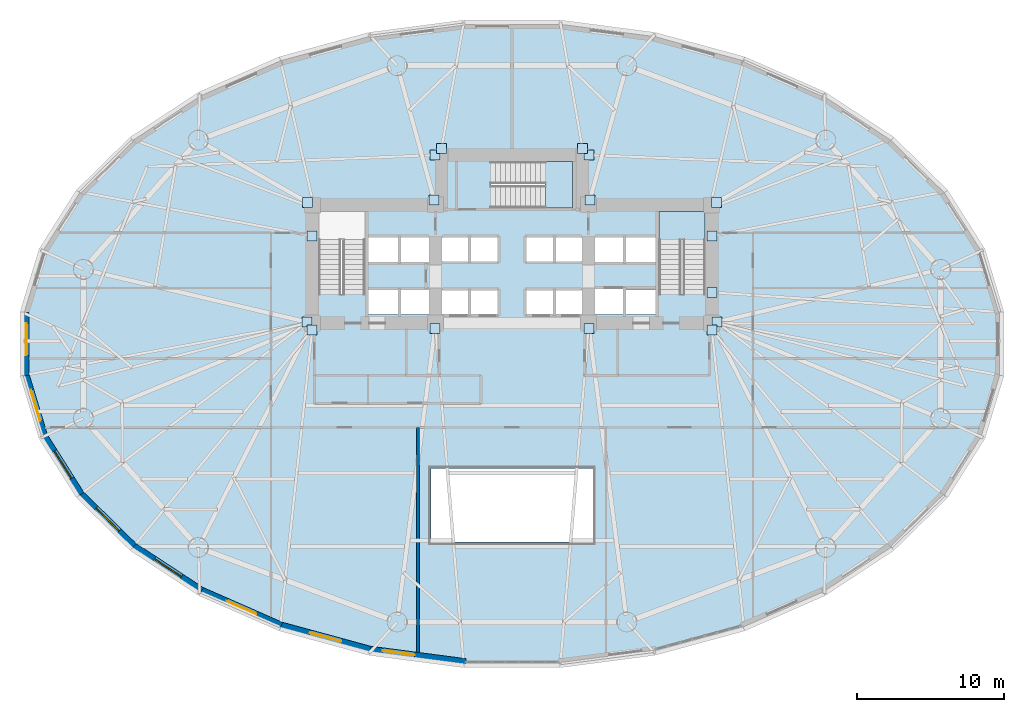
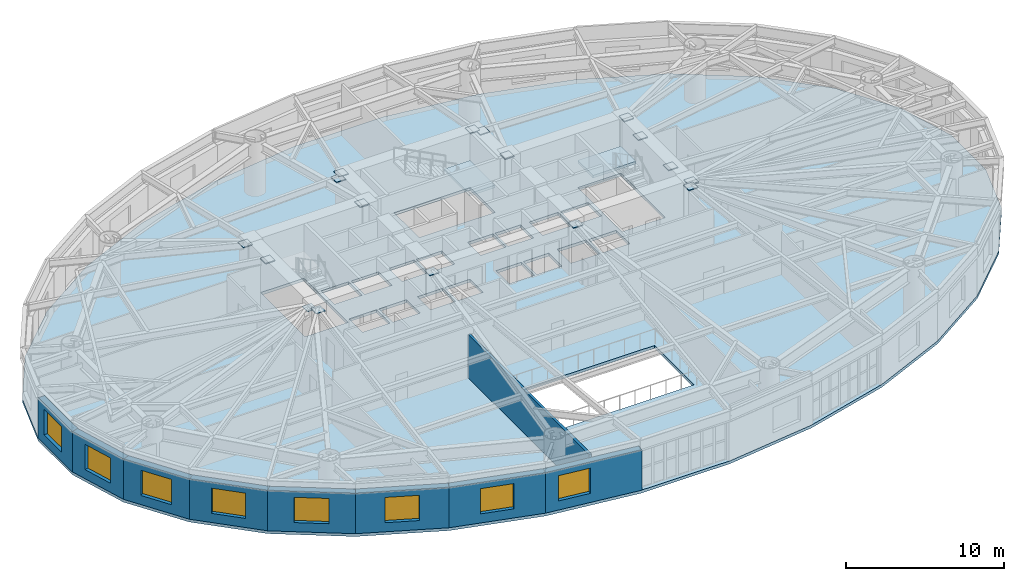
# One storey, part 8 of 19: 17 plates, 9 walls, 8 windows, 3 slabs, 8 openings, 2 elements without a shape of their own.
"""IFC4 building model written with IfcOpenShell, lengths in metres."""

import ifcopenshell
import ifcopenshell.guid

model = None  # the IFC model being written
_history = None  # IfcOwnerHistory: only IFC2X3 demands one
_inside = {}  # id of a spatial element -> (the spatial element, [elements in it])
_under = {}  # id of a project, library or spatial element -> (it, [spatial elements below it])
_declared = {}  # id of a project -> (the project, [libraries it declares])
_typed = {}  # id of a type object -> (the type object, [elements of that type])
_made_of = {}  # id of a material, layer set ... -> (it, [elements and type objects made of it])


def new_model(schema):
    """Start an empty IFC model of exactly this schema.

    Asked for "IFC4X3", IfcOpenShell would pick the latest addendum, in which some entities
    have other attributes; the version numbers below select the first issue.
    IFC2X3 requires an IfcOwnerHistory on every rooted entity: one is made here for all.
    """
    global model, _history
    if schema == "IFC4X3":
        model = ifcopenshell.file(schema_version=(4, 3, 0, 0))
    else:
        model = ifcopenshell.file(schema=schema)
    _inside.clear()
    _under.clear()
    _declared.clear()
    _typed.clear()
    _made_of.clear()
    _history = None
    if model.schema == "IFC2X3":
        org = make("IfcOrganization", Name="unknown")
        user = make(
            "IfcPersonAndOrganization",
            ThePerson=make("IfcPerson", FamilyName="unknown"),
            TheOrganization=org,
        )
        app = make(
            "IfcApplication",
            ApplicationDeveloper=org,
            Version="unknown",
            ApplicationFullName="unknown",
            ApplicationIdentifier="unknown",
        )
        _history = make(
            "IfcOwnerHistory",
            OwningUser=user,
            OwningApplication=app,
            ChangeAction="ADDED",
            CreationDate=0,
        )
    return model


def make(cls, **values):
    """One entity of the class cls with the attributes given. An attribute that is None is left unset."""
    return model.create_entity(
        cls, **{name: value for name, value in values.items() if value is not None}
    )


def rooted(cls, **values):
    """An entity with a GlobalId (a new one), such as an element, a storey or a relation."""
    return make(cls, GlobalId=ifcopenshell.guid.new(), OwnerHistory=_history, **values)


def si_unit(unit_type, name, prefix=None):
    """IfcSIUnit, for example si_unit("LENGTHUNIT", "METRE", prefix="MILLI")."""
    return make("IfcSIUnit", UnitType=unit_type, Prefix=prefix, Name=name)


def assignment(units):
    """IfcUnitAssignment: the units of a project."""
    return None if units is None else make("IfcUnitAssignment", Units=units)


def point(xyz):
    """IfcCartesianPoint."""
    return None if xyz is None else make("IfcCartesianPoint", Coordinates=xyz)


def direction(xyz):
    """IfcDirection."""
    return None if xyz is None else make("IfcDirection", DirectionRatios=xyz)


def frame(location, z_axis=None, x_axis=None):
    """IfcAxis2Placement3D, a coordinate frame: its origin and axes. An axis left out is left unset."""
    return make(
        "IfcAxis2Placement3D",
        Location=point(location),
        Axis=direction(z_axis),
        RefDirection=direction(x_axis),
    )


def frame_2d(location, x_axis=None):
    """IfcAxis2Placement2D, a coordinate frame in the plane: its origin and x axis."""
    return make(
        "IfcAxis2Placement2D", Location=point(location), RefDirection=direction(x_axis)
    )


def origin():
    """The frame at (0, 0, 0) with its axes left unset."""
    return frame((0.0, 0.0, 0.0))


def origin_2d():
    """The frame at (0, 0) in the plane with its x axis left unset."""
    return frame_2d((0.0, 0.0))


def place(relative_to, where):
    """IfcLocalPlacement: puts the frame where relative to a parent placement (None: the world)."""
    return make(
        "IfcLocalPlacement", PlacementRelTo=relative_to, RelativePlacement=where
    )


def context(
    kind, dimensions, precision=None, world=None, true_north=None, identifier=None
):
    """IfcGeometricRepresentationContext, for example the 3D "Model" context."""
    return make(
        "IfcGeometricRepresentationContext",
        ContextIdentifier=identifier,
        ContextType=kind,
        CoordinateSpaceDimension=dimensions,
        Precision=precision,
        WorldCoordinateSystem=world,
        TrueNorth=true_north,
    )


def subcontext(parent, identifier, kind, view, scale=None):
    """IfcGeometricRepresentationSubContext, for example "Body" below "Model"."""
    return make(
        "IfcGeometricRepresentationSubContext",
        ContextIdentifier=identifier,
        ContextType=kind,
        ParentContext=parent,
        TargetScale=scale,
        TargetView=view,
    )


def project(units=None, contexts=None):
    """IfcProject with its units and contexts."""
    return rooted(
        "IfcProject",
        Name="project",
        RepresentationContexts=contexts,
        UnitsInContext=assignment(units),
    )


def spatial(cls, under=None, at=None, **own):
    """A site, building, storey or space (cls), placed at a placement, below another one or the project."""
    s = rooted(cls, ObjectPlacement=at, **own)
    if under is not None:
        _under.setdefault(under.id(), (under, []))[1].append(s)
    return s


def polyline(points):
    """IfcPolyline through the points."""
    return make("IfcPolyline", Points=[point(p) for p in points])


def profile(cls, at=None, kind="AREA", **sizes):
    """A parametric profile (cls). Its sizes go by their IFC names, for example OverallWidth=200.0."""
    return make(cls, ProfileType=kind, Position=at, **sizes)


def rectangle(**sizes):
    """IfcRectangleProfileDef."""
    return profile("IfcRectangleProfileDef", **sizes)


def outline(outer, holes=None, kind="AREA"):
    """IfcArbitraryClosedProfileDef: a profile drawn as a closed curve; with holes, ...WithVoids."""
    if holes is None:
        return make("IfcArbitraryClosedProfileDef", ProfileType=kind, OuterCurve=outer)
    return make(
        "IfcArbitraryProfileDefWithVoids",
        ProfileType=kind,
        OuterCurve=outer,
        InnerCurves=holes,
    )


def extrude(swept, where, along, depth):
    """IfcExtrudedAreaSolid: the profile swept, set in the frame where, extruded along a direction by depth."""
    return make(
        "IfcExtrudedAreaSolid",
        SweptArea=swept,
        Position=where,
        ExtrudedDirection=direction(along),
        Depth=depth,
    )


def shape(context_of_items, identifier, shape_type, items):
    """IfcShapeRepresentation: the items that make up one representation, for example the "Body"."""
    return make(
        "IfcShapeRepresentation",
        ContextOfItems=context_of_items,
        RepresentationIdentifier=identifier,
        RepresentationType=shape_type,
        Items=items,
    )


def material(Name=None, Category=None):
    """IfcMaterial."""
    return make("IfcMaterial", Name=Name, Category=Category)


def layer(
    of_material, thickness, ventilated=None, Name=None, Category=None, Priority=None
):
    """IfcMaterialLayer: one layer of a wall or slab, of a material (None: an air gap)."""
    return make(
        "IfcMaterialLayer",
        Material=of_material,
        LayerThickness=thickness,
        IsVentilated=ventilated,
        Name=Name,
        Category=Category,
        Priority=Priority,
    )


def layer_set(layers, Name=None):
    """IfcMaterialLayerSet."""
    return make("IfcMaterialLayerSet", MaterialLayers=layers, LayerSetName=Name)


def made_of(thing, what):
    """Note that an element or type object is made of a material, layer set ...; save() writes the relation."""
    if what is not None:
        _made_of.setdefault(what.id(), (what, []))[1].append(thing)
    return thing


def type_object(cls, material=None, **own):
    """A type object (cls), such as IfcWallType, which elements share."""
    return made_of(rooted(cls, **own), material)


def element(
    cls,
    number,
    at=None,
    inside=None,
    cuts=None,
    type_object=None,
    material=None,
    context=None,
    identifier="Body",
    shape_type=None,
    held_by="IfcProductDefinitionShape",
    body=None,
    shapes=None,
    **own,
):
    """One element of the class cls, such as IfcWall. Its Tag is "e" and its number.

    at: its placement. inside: the storey or other place that contains it. cuts: it is an
    opening in that element (IfcRelVoidsElement). A single representation is given by context,
    identifier, shape_type and body (its items); several are given by shapes. held_by: the class
    of the entity that holds the representations. save() writes the other relations.
    """
    e = rooted(cls, Tag="e%d" % number, ObjectPlacement=at, **own)
    if body is not None:
        shapes = [shape(context, identifier, shape_type, body)]
    if shapes is not None:
        e.Representation = make(held_by, Representations=shapes)
    if inside is not None:
        _inside.setdefault(inside.id(), (inside, []))[1].append(e)
    if cuts is not None:
        rooted(
            "IfcRelVoidsElement", RelatingBuildingElement=cuts, RelatedOpeningElement=e
        )
    if type_object is not None:
        _typed.setdefault(type_object.id(), (type_object, []))[1].append(e)
    return made_of(e, material)


def fill(opening, filler):
    """IfcRelFillsElement: the door or window that sits in an opening."""
    return rooted(
        "IfcRelFillsElement",
        RelatingOpeningElement=opening,
        RelatedBuildingElement=filler,
    )


def aggregate(whole, parts):
    """IfcRelAggregates: a whole, such as a stair, and the parts it consists of."""
    return rooted("IfcRelAggregates", RelatingObject=whole, RelatedObjects=parts)


def save(model, path):
    """Write the relations noted so far, then the file.

    IfcRelAggregates (storeys below a building ...), IfcRelContainedInSpatialStructure (elements
    in a storey), IfcRelDefinesByType, IfcRelAssociatesMaterial and IfcRelDeclares: one each for
    every whole, place, type object, material and project.
    """
    for whole, parts in _under.values():
        aggregate(whole, parts)
    for where, things in _inside.values():
        rooted(
            "IfcRelContainedInSpatialStructure",
            RelatedElements=things,
            RelatingStructure=where,
        )
    for kind, things in _typed.values():
        rooted("IfcRelDefinesByType", RelatedObjects=things, RelatingType=kind)
    for what, things in _made_of.values():
        rooted("IfcRelAssociatesMaterial", RelatedObjects=things, RelatingMaterial=what)
    for by, libraries in _declared.values():
        rooted("IfcRelDeclares", RelatingContext=by, RelatedDefinitions=libraries)
    model.write(path)


model = new_model("IFC4")

# Units and contexts
model_context = context("Model", 3, precision=1e-05, world=origin(), true_north=direction((0.0, 1.0)))
body_context = subcontext(model_context, "Body", "Model", "MODEL_VIEW")
ifc_project = project(units=[si_unit("LENGTHUNIT", "METRE"), si_unit("AREAUNIT", "SQUARE_METRE"), si_unit("VOLUMEUNIT", "CUBIC_METRE"), si_unit("PLANEANGLEUNIT", "RADIAN"), si_unit("MASSUNIT", "GRAM", prefix="KILO")], contexts=[model_context])

# Site, building, storey
site_placement = place(None, origin())
site = spatial("IfcSite", under=ifc_project, at=site_placement, CompositionType="ELEMENT")
building_placement = place(site_placement, origin())
building = spatial("IfcBuilding", under=site, at=building_placement, Name="Keldmark Tower", CompositionType="ELEMENT")
storey_placement = place(building_placement, frame((0.0, 0.0, 10.199951171875)))
storey = spatial("IfcBuildingStorey", under=building, at=storey_placement, Name="L02", CompositionType="ELEMENT", Elevation=10.199951171875)

# Plates
ifc_material_1 = material(Name="Steel ASTM A572 Grade 50", Category="steel")
ifc_layer_1 = layer(ifc_material_1, 0.06005859375)
ifc_layer_set_1 = layer_set([ifc_layer_1], Name="Steel ASTM A572 Grade 50")
plate_type = type_object("IfcPlateType", Name="Belt Truss Kink Node Assembly KN01 60 mm", PredefinedType="USERDEFINED", material=ifc_layer_set_1)
for number, where, z_axis, x_axis, name in (
    (1, (13.940673828125, 1.48046875, 3.6416015625), (0.0, 0.0, 1.0), (1.0, 0.0, 0.0), "L02 Core Wall Cast-In Embed Plate 052"),
    (2, (13.904296875, 9.623046875, 3.6416015625), (0.0, 0.0, 1.0), (1.0, 0.0, 0.0), "L02 Core Wall Cast-In Embed Plate 053"),
    (3, (5.293212890625, 9.787353515625, 3.6416015625), (0.0, 0.0, 1.0), (1.0, 0.0, 0.0), "L02 Core Wall Cast-In Embed Plate 054"),
    (4, (-5.293212890625, 9.787353515625, 3.6416015625), (0.0, 0.0, 1.0), (1.0, 0.0, 0.0), "L02 Core Wall Cast-In Embed Plate 055"),
    (5, (-13.904296875, 9.623046875, 3.6416015625), (0.0, 0.0, 1.0), (1.0, 0.0, 0.0), "L02 Core Wall Cast-In Embed Plate 056"),
    (6, (-13.940673828125, 1.48046875, 3.6416015625), (0.0, 0.0, 1.0), (1.0, 0.0, 0.0), "L02 Core Wall Cast-In Embed Plate 057"),
    (7, (-5.24462890625, 1.052978515625, 3.6416015625), (0.0, 0.0, 1.0), (1.0, 0.0, 0.0), "L02 Core Wall Cast-In Embed Plate 058"),
    (8, (5.24462890625, 1.052978515625, 3.6416015625), (0.0, 0.0, 1.0), (1.0, 0.0, 0.0), "L02 Core Wall Cast-In Embed Plate 059"),
    (9, (5.25, 12.85009765625, 3.68408203125), (0.0, 0.0, 1.0), (1.0, 0.0, 0.0), "L02 Core Wall Cast-In Embed Plate 060"),
    (10, (-5.25, 12.85009765625, 3.68408203125), (0.0, 0.0, 1.0), (1.0, 0.0, 0.0), "L02 Core Wall Cast-In Embed Plate 061"),
    (11, (13.60009765625, 3.507080078125, 3.68408203125), (0.0, 0.0, 1.0), (1.0, 0.0, 0.0), "L02 Core Wall Cast-In Embed Plate 062"),
    (12, (13.60009765625, 7.343017578125, 3.68408203125), (0.0, 0.0, 1.0), (1.0, 0.0, 0.0), "L02 Core Wall Cast-In Embed Plate 063"),
    (13, (4.800048828125, 13.300048828125, 3.68408203125), (0.0, 0.0, 1.0), (1.0, 0.0, 0.0), "L02 Core Wall Cast-In Embed Plate 064"),
    (14, (-4.800048828125, 13.300048828125, 3.68408203125), (0.0, 0.0, 1.0), (1.0, 0.0, 0.0), "L02 Core Wall Cast-In Embed Plate 065"),
    (15, (-13.60009765625, 7.343017578125, 3.68408203125), (0.0, 0.0, 1.0), (1.0, 0.0, 0.0), "L02 Core Wall Cast-In Embed Plate 066"),
    (16, (-13.60009765625, 0.949951171875, 3.68408203125), (0.0, 0.0, 1.0), (1.0, 0.0, 0.0), "L02 Core Wall Cast-In Embed Plate 067"),
    (17, (13.60009765625, 0.949951171875, 3.68408203125), (0.0, 0.0, 1.0), (1.0, 0.0, 0.0), "L02 Core Wall Cast-In Embed Plate 068"),
):
    element("IfcPlate", number, at=place(storey_placement, frame(where, z_axis=z_axis, x_axis=x_axis)), inside=storey, type_object=plate_type, Name=name, ObjectType="CAP PLATE", PredefinedType="USERDEFINED", context=body_context, shape_type="SweptSolid", body=[
        extrude(rectangle(XDim=0.679931640625, YDim=0.679931640625, at=origin_2d()), origin(), (0.0, 0.0, 1.0), 0.054931640625),
    ])

# Stair, slab
ifc_material_2 = material(Name="Concrete C40/50", Category="concrete")
stair_type = type_object("IfcStairType", Name="Precast Concrete Core Exit Stair", PredefinedType="HALF_TURN_STAIR", material=ifc_material_2)
stair_1_placement = place(storey_placement, origin())
stair_1 = element("IfcStair", 18, at=stair_1_placement, inside=storey, type_object=stair_type, Name="L02 Exit Stair ST2", PredefinedType="HALF_TURN_STAIR")
ifc_material_3 = material(Name="Concrete C40/50", Category="concrete")
ifc_layer_2 = layer(ifc_material_3, 0.199951171875)
ifc_layer_set_2 = layer_set([ifc_layer_2], Name="Concrete C40/50")
slab_type_1 = type_object("IfcSlabType", Name="Reinforced Concrete Stair Landing 200 mm", PredefinedType="LANDING", material=ifc_layer_set_2)
slab_1_placement = place(storey_placement, frame((0.0, 0.0, 1.900146484375)))
slab_1 = element("IfcSlab", 19, at=slab_1_placement, type_object=slab_type_1, Name="ST2 landing 1", PredefinedType="LANDING", context=body_context, shape_type="SweptSolid", body=[
    extrude(outline(polyline([(13.14990234375, 7.070068359375), (13.14990234375, 9.0), (10.0, 9.0), (10.0, 7.070068359375), (13.14990234375, 7.070068359375)])), origin(), (0.0, 0.0, 1.0), 0.199951171875),
])
aggregate(stair_1, [slab_1])

stair_2_placement = place(storey_placement, origin())
stair_2 = element("IfcStair", 20, at=stair_2_placement, inside=storey, type_object=stair_type, Name="L02 Exit Stair ST3", PredefinedType="HALF_TURN_STAIR")
slab_2_placement = place(storey_placement, frame((0.0, 0.0, 1.900146484375)))
slab_2 = element("IfcSlab", 21, at=slab_2_placement, type_object=slab_type_1, Name="ST3 landing 1", PredefinedType="LANDING", context=body_context, shape_type="SweptSolid", body=[
    extrude(outline(polyline([(2.2451171875, 9.25), (4.10498046875, 9.25), (4.10498046875, 12.39990234375), (2.2451171875, 12.39990234375), (2.2451171875, 9.25)])), origin(), (0.0, 0.0, 1.0), 0.199951171875),
])
aggregate(stair_2, [slab_2])

# Slab
ifc_material_4 = material(Name="Concrete C35/45", Category="concrete")
ifc_layer_3 = layer(ifc_material_4, 0.219970703125)
ifc_layer_set_3 = layer_set([ifc_layer_3], Name="Concrete C35/45")
slab_type_2 = type_object("IfcSlabType", Name="Sky Lobby Floor Slab 220 mm", PredefinedType="FLOOR", material=ifc_layer_set_3)
slab_3_placement = place(storey_placement, frame((0.0, 0.0, -0.219970703125)))
element("IfcSlab", 22, at=slab_3_placement, inside=storey, type_object=slab_type_2, Name="L02 Composite Structural Floor Slab", PredefinedType="FLOOR", context=body_context, shape_type="SweptSolid", body=[
    extrude(outline(polyline([(33.338623046875, 2.156494140625), (32.0576171875, 6.38623046875), (29.54443359375, 10.37060546875), (25.89599609375, 13.956787109375), (21.252197265625, 17.006103515625), (15.791748046875, 19.40234375), (9.724609375, 21.052734375), (3.28369140625, 21.89404296875), (-3.28369140625, 21.89404296875), (-9.724609375, 21.052734375), (-15.791748046875, 19.40234375), (-21.252197265625, 17.006103515625), (-25.89599609375, 13.956787109375), (-29.54443359375, 10.37060546875), (-32.0576171875, 6.38623046875), (-33.338623046875, 2.156494140625), (-33.338623046875, -2.156494140625), (-32.0576171875, -6.38623046875), (-29.54443359375, -10.37060546875), (-25.89599609375, -13.956787109375), (-21.252197265625, -17.006103515625), (-15.791748046875, -19.40234375), (-9.724609375, -21.052734375), (-3.28369140625, -21.89404296875), (3.28369140625, -21.89404296875), (9.724609375, -21.052734375), (15.791748046875, -19.40234375), (21.252197265625, -17.006103515625), (25.89599609375, -13.956787109375), (29.54443359375, -10.37060546875), (32.0576171875, -6.38623046875), (33.338623046875, -2.156494140625), (33.338623046875, 2.156494140625)]), holes=[polyline([(-10.0, 3.385009765625), (-10.0, 9.0), (-13.14990234375, 9.0), (-13.14990234375, 3.385009765625), (-10.0, 3.385009765625)]), polyline([(13.14990234375, 3.385009765625), (13.14990234375, 9.0), (10.0, 9.0), (10.0, 3.385009765625), (13.14990234375, 3.385009765625)]), polyline([(-1.43994140625, 9.25), (4.10498046875, 9.25), (4.10498046875, 12.39990234375), (-1.43994140625, 12.39990234375), (-1.43994140625, 9.25)]), polyline([(-9.75, 2.0), (-7.75, 2.0), (-7.75, 3.699951171875), (-9.75, 3.699951171875), (-9.75, 2.0)]), polyline([(7.75, 2.0), (9.75, 2.0), (9.75, 3.699951171875), (7.75, 3.699951171875), (7.75, 2.0)]), polyline([(5.449951171875, 2.0), (7.550048828125, 2.0), (7.550048828125, 3.75), (5.449951171875, 3.75), (5.449951171875, 2.0)]), polyline([(-4.800048828125, 2.0), (-2.949951171875, 2.0), (-2.949951171875, 3.64990234375), (-4.800048828125, 3.64990234375), (-4.800048828125, 2.0)]), polyline([(-2.800048828125, 2.0), (-0.949951171875, 2.0), (-0.949951171875, 3.64990234375), (-2.800048828125, 3.64990234375), (-2.800048828125, 2.0)]), polyline([(0.949951171875, 2.0), (2.800048828125, 2.0), (2.800048828125, 3.64990234375), (0.949951171875, 3.64990234375), (0.949951171875, 2.0)]), polyline([(2.949951171875, 2.0), (4.800048828125, 2.0), (4.800048828125, 3.64990234375), (2.949951171875, 3.64990234375), (2.949951171875, 2.0)]), polyline([(-4.800048828125, 5.60009765625), (-2.949951171875, 5.60009765625), (-2.949951171875, 7.25), (-4.800048828125, 7.25), (-4.800048828125, 5.60009765625)]), polyline([(-2.800048828125, 5.60009765625), (-0.949951171875, 5.60009765625), (-0.949951171875, 7.25), (-2.800048828125, 7.25), (-2.800048828125, 5.60009765625)]), polyline([(0.949951171875, 5.60009765625), (2.800048828125, 5.60009765625), (2.800048828125, 7.25), (0.949951171875, 7.25), (0.949951171875, 5.60009765625)]), polyline([(2.949951171875, 5.60009765625), (4.800048828125, 5.60009765625), (4.800048828125, 7.25), (2.949951171875, 7.25), (2.949951171875, 5.60009765625)]), polyline([(-9.75, 5.550048828125), (-7.75, 5.550048828125), (-7.75, 7.25), (-9.75, 7.25), (-9.75, 5.550048828125)]), polyline([(-7.550048828125, 5.550048828125), (-5.550048828125, 5.550048828125), (-5.550048828125, 7.25), (-7.550048828125, 7.25), (-7.550048828125, 5.550048828125)]), polyline([(-7.550048828125, 2.0), (-5.550048828125, 2.0), (-5.550048828125, 3.699951171875), (-7.550048828125, 3.699951171875), (-7.550048828125, 2.0)]), polyline([(5.449951171875, 5.550048828125), (7.550048828125, 5.550048828125), (7.550048828125, 7.25), (5.449951171875, 7.25), (5.449951171875, 5.550048828125)]), polyline([(7.75, 5.550048828125), (9.75, 5.550048828125), (9.75, 7.25), (7.75, 7.25), (7.75, 5.550048828125)]), polyline([(-5.5, -13.5), (5.5, -13.5), (5.5, -8.5), (-5.5, -8.5), (-5.5, -13.5)])]), origin(), (0.0, 0.0, 1.0), 0.219970703125),
])

# Wall
ifc_material_5 = material(Name="STC-58 Insulated Tenant Demising Gypsum Partition", Category="gypsum")
ifc_layer_4 = layer(ifc_material_5, 0.175048828125)
ifc_layer_set_4 = layer_set([ifc_layer_4], Name="STC-58 Insulated Tenant Demising Gypsum Partition")
wall_type_1 = type_object("IfcWallType", Name="Demising Suite Partition 175 mm", PredefinedType="PARTITIONING", material=ifc_layer_set_4)
wall_1_placement = place(storey_placement, frame((-6.39990234375, -20.994873046875, 0.0), z_axis=(0.0, 0.0, 1.0), x_axis=(0.0, 1.0, 0.0)))
element("IfcWall", 23, at=wall_1_placement, inside=storey, type_object=wall_type_1, Name="L02 Demising Suite Partition 175 mm S-DIV-1", PredefinedType="PARTITIONING", context=body_context, shape_type="SweptSolid", body=[
    extrude(rectangle(XDim=15.294921875, YDim=0.175048828125, at=frame_2d((7.6474609375, 0.0))), origin(), (0.0, 0.0, 1.0), 3.34814453125),
])

# Wall, opening, window
ifc_material_6 = material(Name="Ironspot Manganese Brick and Kasota Buff Limestone Cavity Assembly", Category="masonry")
ifc_layer_5 = layer(ifc_material_6, 0.47998046875)
ifc_layer_set_5 = layer_set([ifc_layer_5], Name="Ironspot Manganese Brick and Kasota Buff Limestone Cavity Assembly")
wall_type_2 = type_object("IfcWallType", Name="Podium Brick and Limestone Cavity Wall 480 mm", PredefinedType="STANDARD", material=ifc_layer_set_5)
wall_2_placement = place(storey_placement, frame((-33.0986328125, -2.156494140625, 0.0), z_axis=(0.0, 0.0, 1.0), x_axis=(0.0, 1.0, 0.0)))
wall_2 = element("IfcWall", 24, at=wall_2_placement, inside=storey, type_object=wall_type_2, Name="L02 Exterior Brick and Spandrel Wall 16", PredefinedType="STANDARD", context=body_context, shape_type="SweptSolid", body=[
    extrude(rectangle(XDim=4.31298828125, YDim=0.47998046875, at=frame_2d((2.156494140625, 0.0))), origin(), (0.0, 0.0, 1.0), 3.109130859375),
])
opening_1_placement = place(wall_2_placement, frame((1.37451171875, 0.0, 0.699951171875)))
opening_1 = element("IfcOpeningElement", 25, at=opening_1_placement, cuts=wall_2, Name="Opening W-01", PredefinedType="OPENING", context=body_context, shape_type="SweptSolid", body=[
    extrude(rectangle(XDim=2.199951171875, YDim=1.949951171875, at=frame_2d((1.10009765625, 0.97509765625))), frame((0.0, 0.25, 0.0), z_axis=(0.0, -1.0, 0.0), x_axis=(1.0, 0.0, 0.0)), (0.0, 0.0, 1.0), 0.5),
])
ifc_material_7 = material(Name="Thermally Broken Anodized Aluminum and Triple Low-E Argon Glazing", Category="aluminium")
window_type = type_object("IfcWindowType", Name="Podium Arched-Head Punched Window 2200x1950", PartitioningType="SINGLE_PANEL", PredefinedType="WINDOW", material=ifc_material_7)
window_1_placement = place(opening_1_placement, origin())
window_1 = element("IfcWindow", 26, at=window_1_placement, inside=storey, type_object=window_type, Name="L02 Deep-Set Window 16", OverallHeight=1.949951171875, OverallWidth=2.199951171875, PartitioningType="SINGLE_PANEL", PredefinedType="WINDOW", context=body_context, shape_type="SweptSolid", body=[
    extrude(rectangle(XDim=2.199951171875, YDim=1.949951171875, at=frame_2d((1.10009765625, 0.97509765625))), frame((0.0, -0.010009765625, 0.0), z_axis=(0.0, -1.0, 0.0), x_axis=(1.0, 0.0, 0.0)), (0.0, 0.0, 1.0), 0.06005859375),
])
fill(opening_1, window_1)

wall_3_placement = place(storey_placement, frame((-31.827880859375, -6.316650390625, 0.0), z_axis=(0.0, 0.0, 1.0), x_axis=(-0.289855603468, 0.957070388811, 0.0)))
wall_3 = element("IfcWall", 27, at=wall_3_placement, inside=storey, type_object=wall_type_2, Name="L02 Exterior Brick and Spandrel Wall 17", PredefinedType="STANDARD", context=body_context, shape_type="SweptSolid", body=[
    extrude(rectangle(XDim=4.41943359375, YDim=0.47998046875, at=frame_2d((2.209716796875, 0.0))), origin(), (0.0, 0.0, 1.0), 3.109130859375),
])
opening_2_placement = place(wall_3_placement, frame((1.10986328125, 0.0, 0.699951171875)))
opening_2 = element("IfcOpeningElement", 28, at=opening_2_placement, cuts=wall_3, Name="Opening W-01", PredefinedType="OPENING", context=body_context, shape_type="SweptSolid", body=[
    extrude(rectangle(XDim=2.199951171875, YDim=1.949951171875, at=frame_2d((1.10009765625, 0.97509765625))), frame((0.0, 0.25, 0.0), z_axis=(0.0, -1.0, 0.0), x_axis=(1.0, 0.0, 0.0)), (0.0, 0.0, 1.0), 0.5),
])
window_2_placement = place(opening_2_placement, origin())
window_2 = element("IfcWindow", 29, at=window_2_placement, inside=storey, type_object=window_type, Name="L02 Deep-Set Window 17", OverallHeight=1.949951171875, OverallWidth=2.199951171875, PartitioningType="SINGLE_PANEL", PredefinedType="WINDOW", context=body_context, shape_type="SweptSolid", body=[
    extrude(rectangle(XDim=2.199951171875, YDim=1.949951171875, at=frame_2d((1.10009765625, 0.97509765625))), frame((0.0, -0.010009765625, 0.0), z_axis=(0.0, -1.0, 0.0), x_axis=(1.0, 0.0, 0.0)), (0.0, 0.0, 1.0), 0.06005859375),
])
fill(opening_2, window_2)

wall_4_placement = place(storey_placement, frame((-29.34130859375, -10.24267578125, 0.0), z_axis=(0.0, 0.0, 1.0), x_axis=(-0.53349762721, 0.845801561693, 0.0)))
wall_4 = element("IfcWall", 30, at=wall_4_placement, inside=storey, type_object=wall_type_2, Name="L02 Exterior Brick and Spandrel Wall 18", PredefinedType="STANDARD", context=body_context, shape_type="SweptSolid", body=[
    extrude(rectangle(XDim=4.710693359375, YDim=0.47998046875, at=frame_2d((2.35546875, 0.0))), origin(), (0.0, 0.0, 1.0), 3.109130859375),
])
opening_3_placement = place(wall_4_placement, frame((1.25537109375, 0.0, 0.699951171875)))
opening_3 = element("IfcOpeningElement", 31, at=opening_3_placement, cuts=wall_4, Name="Opening W-01", PredefinedType="OPENING", context=body_context, shape_type="SweptSolid", body=[
    extrude(rectangle(XDim=2.199951171875, YDim=1.949951171875, at=frame_2d((1.10009765625, 0.97509765625))), frame((0.0, 0.25, 0.0), z_axis=(0.0, -1.0, 0.0), x_axis=(1.0, 0.0, 0.0)), (0.0, 0.0, 1.0), 0.5),
])
window_3_placement = place(opening_3_placement, origin())
window_3 = element("IfcWindow", 32, at=window_3_placement, inside=storey, type_object=window_type, Name="L02 Deep-Set Window 18", OverallHeight=1.949951171875, OverallWidth=2.199951171875, PartitioningType="SINGLE_PANEL", PredefinedType="WINDOW", context=body_context, shape_type="SweptSolid", body=[
    extrude(rectangle(XDim=2.199951171875, YDim=1.949951171875, at=frame_2d((1.10009765625, 0.97509765625))), frame((0.0, -0.010009765625, 0.0), z_axis=(0.0, -1.0, 0.0), x_axis=(1.0, 0.0, 0.0)), (0.0, 0.0, 1.0), 0.06005859375),
])
fill(opening_3, window_3)

wall_5_placement = place(storey_placement, frame((-25.727783203125, -13.785400390625, 0.0), z_axis=(0.0, 0.0, 1.0), x_axis=(-0.713189080178, 0.700971708355, 0.0)))
wall_5 = element("IfcWall", 33, at=wall_5_placement, inside=storey, type_object=wall_type_2, Name="L02 Exterior Brick and Spandrel Wall 19", PredefinedType="STANDARD", context=body_context, shape_type="SweptSolid", body=[
    extrude(rectangle(XDim=5.11572265625, YDim=0.47998046875, at=frame_2d((2.557861328125, 0.0))), origin(), (0.0, 0.0, 1.0), 3.109130859375),
])
opening_4_placement = place(wall_5_placement, frame((1.4580078125, 0.0, 0.699951171875)))
opening_4 = element("IfcOpeningElement", 34, at=opening_4_placement, cuts=wall_5, Name="Opening W-01", PredefinedType="OPENING", context=body_context, shape_type="SweptSolid", body=[
    extrude(rectangle(XDim=2.199951171875, YDim=1.949951171875, at=frame_2d((1.10009765625, 0.97509765625))), frame((0.0, 0.25, 0.0), z_axis=(0.0, -1.0, 0.0), x_axis=(1.0, 0.0, 0.0)), (0.0, 0.0, 1.0), 0.5),
])
window_4_placement = place(opening_4_placement, origin())
window_4 = element("IfcWindow", 35, at=window_4_placement, inside=storey, type_object=window_type, Name="L02 Deep-Set Window 19", OverallHeight=1.949951171875, OverallWidth=2.199951171875, PartitioningType="SINGLE_PANEL", PredefinedType="WINDOW", context=body_context, shape_type="SweptSolid", body=[
    extrude(rectangle(XDim=2.199951171875, YDim=1.949951171875, at=frame_2d((1.10009765625, 0.97509765625))), frame((0.0, -0.010009765625, 0.0), z_axis=(0.0, -1.0, 0.0), x_axis=(1.0, 0.0, 0.0)), (0.0, 0.0, 1.0), 0.06005859375),
])
fill(opening_4, window_4)

wall_6_placement = place(storey_placement, frame((-21.12060546875, -16.8056640625, 0.0), z_axis=(0.0, 0.0, 1.0), x_axis=(-0.835863918172, 0.548936708827, 0.0)))
wall_6 = element("IfcWall", 36, at=wall_6_placement, inside=storey, type_object=wall_type_2, Name="L02 Exterior Brick and Spandrel Wall 20", PredefinedType="STANDARD", context=body_context, shape_type="SweptSolid", body=[
    extrude(rectangle(XDim=5.555419921875, YDim=0.47998046875, at=frame_2d((2.77783203125, 0.0))), origin(), (0.0, 0.0, 1.0), 3.109130859375),
])
opening_5_placement = place(wall_6_placement, frame((1.677734375, 0.0, 0.699951171875)))
opening_5 = element("IfcOpeningElement", 37, at=opening_5_placement, cuts=wall_6, Name="Opening W-01", PredefinedType="OPENING", context=body_context, shape_type="SweptSolid", body=[
    extrude(rectangle(XDim=2.199951171875, YDim=1.949951171875, at=frame_2d((1.10009765625, 0.97509765625))), frame((0.0, 0.25, 0.0), z_axis=(0.0, -1.0, 0.0), x_axis=(1.0, 0.0, 0.0)), (0.0, 0.0, 1.0), 0.5),
])
window_5_placement = place(opening_5_placement, origin())
window_5 = element("IfcWindow", 38, at=window_5_placement, inside=storey, type_object=window_type, Name="L02 Deep-Set Window 20", OverallHeight=1.949951171875, OverallWidth=2.199951171875, PartitioningType="SINGLE_PANEL", PredefinedType="WINDOW", context=body_context, shape_type="SweptSolid", body=[
    extrude(rectangle(XDim=2.199951171875, YDim=1.949951171875, at=frame_2d((1.10009765625, 0.97509765625))), frame((0.0, -0.010009765625, 0.0), z_axis=(0.0, -1.0, 0.0), x_axis=(1.0, 0.0, 0.0)), (0.0, 0.0, 1.0), 0.06005859375),
])
fill(opening_5, window_5)

wall_7_placement = place(storey_placement, frame((-15.6953125, -19.1826171875, 0.0), z_axis=(0.0, 0.0, 1.0), x_axis=(-0.91570760638, 0.401845218484, 0.0)))
wall_7 = element("IfcWall", 39, at=wall_7_placement, inside=storey, type_object=wall_type_2, Name="L02 Exterior Brick and Spandrel Wall 21", PredefinedType="STANDARD", context=body_context, shape_type="SweptSolid", body=[
    extrude(rectangle(XDim=5.963134765625, YDim=0.47998046875, at=frame_2d((2.9814453125, 0.0))), origin(), (0.0, 0.0, 1.0), 3.109130859375),
])
opening_6_placement = place(wall_7_placement, frame((1.881591796875, 0.0, 0.699951171875)))
opening_6 = element("IfcOpeningElement", 40, at=opening_6_placement, cuts=wall_7, Name="Opening W-01", PredefinedType="OPENING", context=body_context, shape_type="SweptSolid", body=[
    extrude(rectangle(XDim=2.199951171875, YDim=1.949951171875, at=frame_2d((1.10009765625, 0.97509765625))), frame((0.0, 0.25, 0.0), z_axis=(0.0, -1.0, 0.0), x_axis=(1.0, 0.0, 0.0)), (0.0, 0.0, 1.0), 0.5),
])
window_6_placement = place(opening_6_placement, origin())
window_6 = element("IfcWindow", 41, at=window_6_placement, inside=storey, type_object=window_type, Name="L02 Deep-Set Window 21", OverallHeight=1.949951171875, OverallWidth=2.199951171875, PartitioningType="SINGLE_PANEL", PredefinedType="WINDOW", context=body_context, shape_type="SweptSolid", body=[
    extrude(rectangle(XDim=2.199951171875, YDim=1.949951171875, at=frame_2d((1.10009765625, 0.97509765625))), frame((0.0, -0.010009765625, 0.0), z_axis=(0.0, -1.0, 0.0), x_axis=(1.0, 0.0, 0.0)), (0.0, 0.0, 1.0), 0.06005859375),
])
fill(opening_6, window_6)

wall_8_placement = place(storey_placement, frame((-9.66162109375, -20.821044921875, 0.0), z_axis=(0.0, 0.0, 1.0), x_axis=(-0.964936550718, 0.262483243445, 0.0)))
wall_8 = element("IfcWall", 42, at=wall_8_placement, inside=storey, type_object=wall_type_2, Name="L02 Exterior Brick and Spandrel Wall 22", PredefinedType="STANDARD", context=body_context, shape_type="SweptSolid", body=[
    extrude(rectangle(XDim=6.28759765625, YDim=0.47998046875, at=frame_2d((3.143798828125, 0.0))), origin(), (0.0, 0.0, 1.0), 3.109130859375),
])
opening_7_placement = place(wall_8_placement, frame((2.0439453125, 0.0, 0.699951171875)))
opening_7 = element("IfcOpeningElement", 43, at=opening_7_placement, cuts=wall_8, Name="Opening W-01", PredefinedType="OPENING", context=body_context, shape_type="SweptSolid", body=[
    extrude(rectangle(XDim=2.199951171875, YDim=1.949951171875, at=frame_2d((1.10009765625, 0.97509765625))), frame((0.0, 0.25, 0.0), z_axis=(0.0, -1.0, 0.0), x_axis=(1.0, 0.0, 0.0)), (0.0, 0.0, 1.0), 0.5),
])
window_7_placement = place(opening_7_placement, origin())
window_7 = element("IfcWindow", 44, at=window_7_placement, inside=storey, type_object=window_type, Name="L02 Deep-Set Window 22", OverallHeight=1.949951171875, OverallWidth=2.199951171875, PartitioningType="SINGLE_PANEL", PredefinedType="WINDOW", context=body_context, shape_type="SweptSolid", body=[
    extrude(rectangle(XDim=2.199951171875, YDim=1.949951171875, at=frame_2d((1.10009765625, 0.97509765625))), frame((0.0, -0.010009765625, 0.0), z_axis=(0.0, -1.0, 0.0), x_axis=(1.0, 0.0, 0.0)), (0.0, 0.0, 1.0), 0.06005859375),
])
fill(opening_7, window_7)

wall_9_placement = place(storey_placement, frame((-3.143310546875, -21.67041015625, 0.0), z_axis=(0.0, 0.0, 1.0), x_axis=(-0.991574010877, 0.129541425626, 0.0)))
wall_9 = element("IfcWall", 45, at=wall_9_placement, inside=storey, type_object=wall_type_2, Name="L02 Exterior Brick and Spandrel Wall 23", PredefinedType="STANDARD", context=body_context, shape_type="SweptSolid", body=[
    extrude(rectangle(XDim=6.605712890625, YDim=0.47998046875, at=frame_2d((3.302734375, 0.0))), origin(), (0.0, 0.0, 1.0), 3.109130859375),
])
opening_8_placement = place(wall_9_placement, frame((3.51318359375, 0.0, 0.699951171875)))
opening_8 = element("IfcOpeningElement", 46, at=opening_8_placement, cuts=wall_9, Name="Opening W-01", PredefinedType="OPENING", context=body_context, shape_type="SweptSolid", body=[
    extrude(rectangle(XDim=2.199951171875, YDim=1.949951171875, at=frame_2d((1.10009765625, 0.97509765625))), frame((0.0, 0.25, 0.0), z_axis=(0.0, -1.0, 0.0), x_axis=(1.0, 0.0, 0.0)), (0.0, 0.0, 1.0), 0.5),
])
window_8_placement = place(opening_8_placement, origin())
window_8 = element("IfcWindow", 47, at=window_8_placement, inside=storey, type_object=window_type, Name="L02 Deep-Set Window 23", OverallHeight=1.949951171875, OverallWidth=2.199951171875, PartitioningType="SINGLE_PANEL", PredefinedType="WINDOW", context=body_context, shape_type="SweptSolid", body=[
    extrude(rectangle(XDim=2.199951171875, YDim=1.949951171875, at=frame_2d((1.10009765625, 0.97509765625))), frame((0.0, -0.010009765625, 0.0), z_axis=(0.0, -1.0, 0.0), x_axis=(1.0, 0.0, 0.0)), (0.0, 0.0, 1.0), 0.06005859375),
])
fill(opening_8, window_8)

save(model, "model.ifc")
